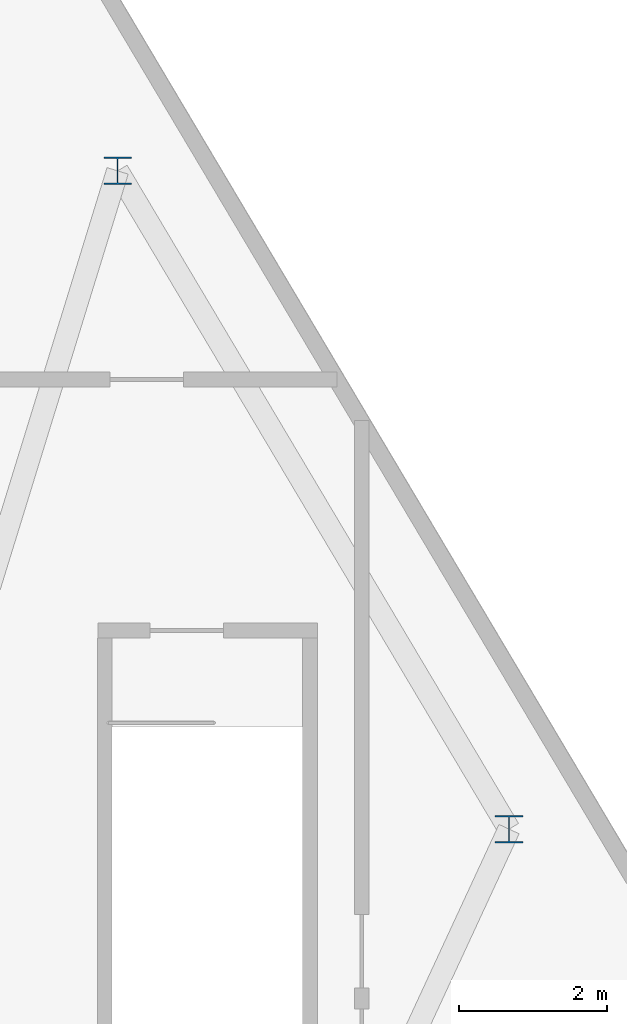
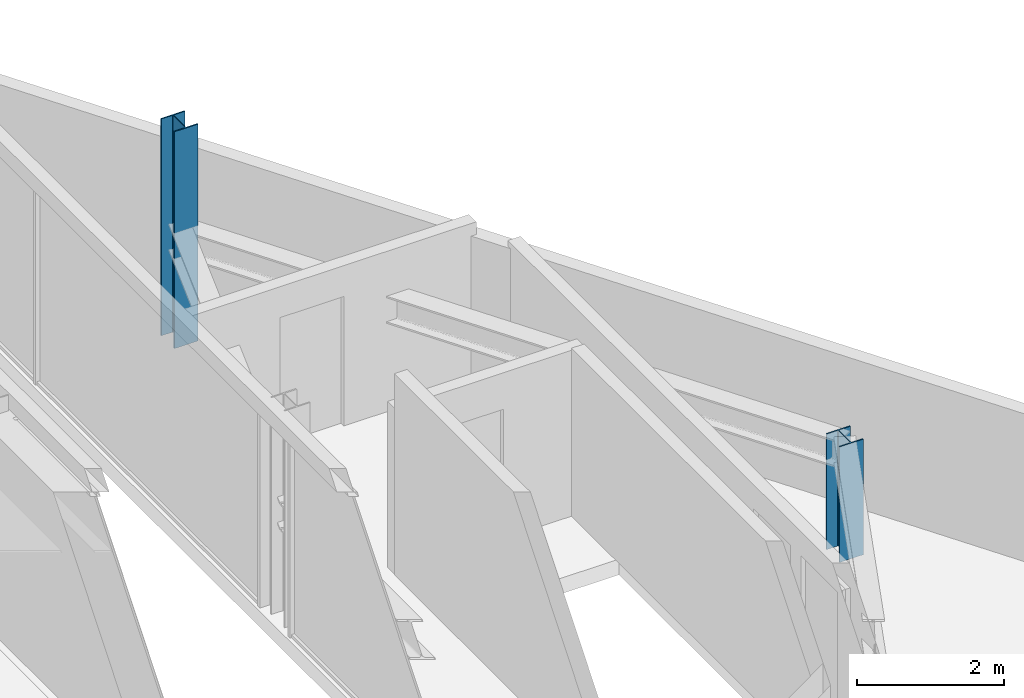
# One storey, part 2 of 13: 2 columns.
"""IFC4 building model written with IfcOpenShell, lengths in metres."""

from ifc_helpers import new_model, si_unit, direction, frame, origin, origin_2d, place, context, subcontext, project, spatial, i_section, extrude, material, material_profile, profile_set, type_object, element, save


model = new_model("IFC4")

# Units and contexts
model_context = context("Model", 3, precision=1e-05, world=origin(), true_north=direction((0.0, 1.0)))
body_context = subcontext(model_context, "Body", "Model", "MODEL_VIEW")
ifc_project = project(units=[si_unit("LENGTHUNIT", "METRE"), si_unit("AREAUNIT", "SQUARE_METRE"), si_unit("VOLUMEUNIT", "CUBIC_METRE"), si_unit("PLANEANGLEUNIT", "RADIAN"), si_unit("MASSUNIT", "GRAM", prefix="KILO")], contexts=[model_context])

# Site, building, storey
site_placement = place(None, origin())
site = spatial("IfcSite", under=ifc_project, at=site_placement, CompositionType="ELEMENT")
building_placement = place(site_placement, origin())
building = spatial("IfcBuilding", under=site, at=building_placement, Name="Savorim Split Tower", CompositionType="ELEMENT")
storey_placement = place(building_placement, frame((0.0, 0.0, 312.0)))
storey = spatial("IfcBuildingStorey", under=building, at=storey_placement, Name="Crown L83 Plant", CompositionType="ELEMENT", Elevation=312.0)

# Columns
ifc_material = material(Name="Steel S355", Category="steel")
ifc_material_profile = material_profile(ifc_material, i_section(OverallWidth=0.3740234375, OverallDepth=0.3720703125, WebThickness=0.01220703125, FlangeThickness=0.02001953125, FilletRadius=0.014892578125, at=origin_2d()), Name="HD 360x196")
ifc_profile_set = profile_set([ifc_material_profile], Name="Steel S355")
column_type = type_object("IfcColumnType", Name="COL-HD-196", PredefinedType="COLUMN", material=ifc_profile_set)
column_1_placement = place(storey_placement, frame((18.44580078125, -4.239990234375, 0.0), z_axis=(0.0, 0.0, 1.0), x_axis=(1.0, 0.0, 0.0)))
element("IfcColumn", 1, at=column_1_placement, inside=storey, type_object=column_type, Name="Crown L83 Plant East Crown Column EC-2", PredefinedType="COLUMN", context=body_context, shape_type="SweptSolid", body=[
    extrude(i_section(OverallWidth=0.3740234375, OverallDepth=0.3720703125, WebThickness=0.01220703125, FlangeThickness=0.02001953125, FilletRadius=0.014892578125, at=origin_2d()), origin(), (0.0, 0.0, 1.0), 1.91943359375),
])
column_2_placement = place(storey_placement, frame((13.144287109375, 4.675537109375, 0.0), z_axis=(0.0, 0.0, 1.0), x_axis=(1.0, 0.0, 0.0)))
element("IfcColumn", 2, at=column_2_placement, inside=storey, type_object=column_type, Name="Crown L83 Plant East Crown Column EC-3", PredefinedType="COLUMN", context=body_context, shape_type="SweptSolid", body=[
    extrude(i_section(OverallWidth=0.3740234375, OverallDepth=0.3720703125, WebThickness=0.01220703125, FlangeThickness=0.02001953125, FilletRadius=0.014892578125, at=origin_2d()), origin(), (0.0, 0.0, 1.0), 3.60009765625),
])

save(model, "model.ifc")
